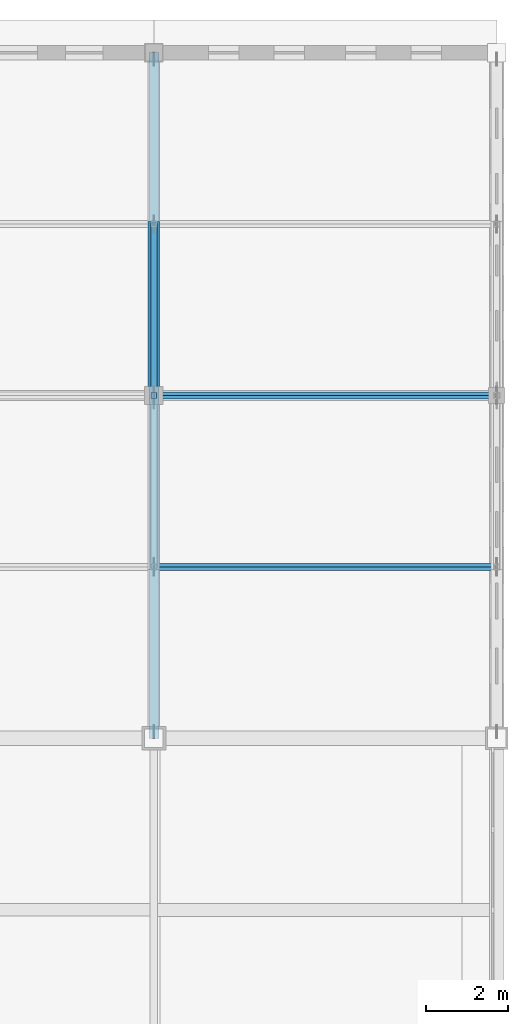
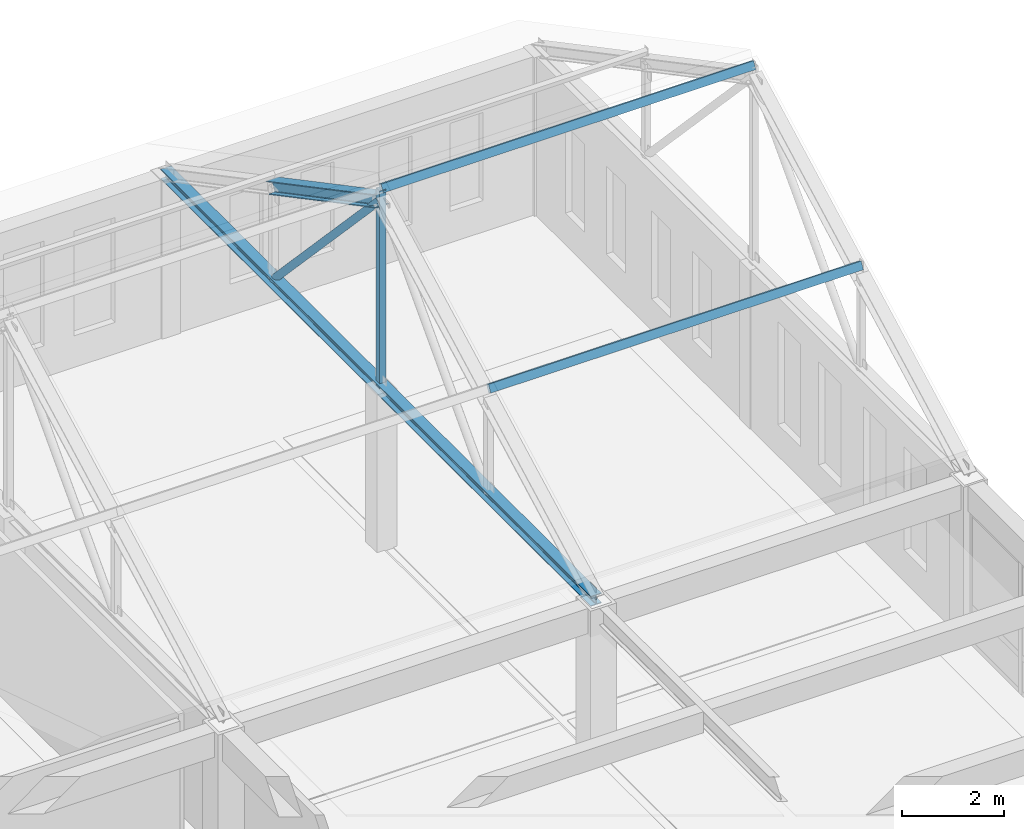
# One storey, part 23 of 56: 6 members.
"""IFC4 building model written with IfcOpenShell, lengths in metres."""

from ifc_helpers import new_model, si_unit, direction, frame, origin, origin_2d, place, context, subcontext, project, spatial, hollow_rectangle, hollow_circle, i_section, extrude, material, material_profile, profile_set, type_object, element, save


model = new_model("IFC4")

# Units and contexts
model_context = context("Model", 3, precision=1e-05, world=origin(), true_north=direction((0.0, 1.0)))
body_context = subcontext(model_context, "Body", "Model", "MODEL_VIEW")
ifc_project = project(units=[si_unit("LENGTHUNIT", "METRE"), si_unit("AREAUNIT", "SQUARE_METRE"), si_unit("VOLUMEUNIT", "CUBIC_METRE"), si_unit("PLANEANGLEUNIT", "RADIAN"), si_unit("MASSUNIT", "GRAM", prefix="KILO")], contexts=[model_context])

# Site, building, storey
site_placement = place(None, origin())
site = spatial("IfcSite", under=ifc_project, at=site_placement, CompositionType="ELEMENT")
building_placement = place(site_placement, origin())
building = spatial("IfcBuilding", under=site, at=building_placement, Name="Kveldsbrygga Polytechnic", CompositionType="ELEMENT")
storey_placement = place(building_placement, frame((0.0, 0.0, 18.02001953125)))
storey = spatial("IfcBuildingStorey", under=building, at=storey_placement, Name="L04", CompositionType="ELEMENT", Elevation=18.02001953125)

# Members
ifc_material = material(Name="Steel S355", Category="steel")
ifc_material_profile_1 = material_profile(ifc_material, hollow_circle(Radius=0.084228515625, WallThickness=0.010009765625, at=origin_2d()), Name="CHS 168.3x10.0")
ifc_profile_set_1 = profile_set([ifc_material_profile_1], Name="Steel S355")
member_type_1 = type_object("IfcMemberType", Name="BR-WIND-CHS168", PredefinedType="BRACE", material=ifc_profile_set_1)
member_1_placement = place(storey_placement, frame((159.60009765625, 109.199951171875, 8.22998046875), z_axis=(0.0, 0.686383320151, -0.727239945148), x_axis=(-1.0, 0.0, 0.0)))
element("IfcMember", 1, at=member_1_placement, inside=storey, type_object=member_type_1, Name="Truss Diagonal V4N5-T05-DG-3", PredefinedType="BRACE", context=body_context, shape_type="SweptSolid", body=[
    extrude(hollow_circle(Radius=0.084228515625, WallThickness=0.010009765625, at=origin_2d()), origin(), (0.0, 0.0, 1.0), 6.118896484375),
])
ifc_material_profile_2 = material_profile(ifc_material, hollow_rectangle(XDim=0.10009765625, YDim=0.179931640625, WallThickness=0.008056640625, at=origin_2d()), Name="RHS 180x100x8.0")
ifc_profile_set_2 = profile_set([ifc_material_profile_2], Name="Steel S355")
member_type_2 = type_object("IfcMemberType", Name="PRL-RHS180", PredefinedType="PURLIN", material=ifc_profile_set_2)
for number, where, z_axis, x_axis, name in (
    (2, (159.60009765625, 105.0, 6.265380859375), (1.0, 0.0, 0.0), (0.0, 0.883660254474, -0.468128779998), "Roof Purlin V4N5-PRL-5-1"),
    (3, (159.60009765625, 109.199951171875, 8.490234375), (1.0, 0.0, 0.0), (0.0, 0.883660254474, -0.468128779998), "Roof Purlin V4N5-PRL-5-2"),
):
    element("IfcMember", number, at=place(storey_placement, frame(where, z_axis=z_axis, x_axis=x_axis)), inside=storey, type_object=member_type_2, Name=name, PredefinedType="PURLIN", context=body_context, shape_type="SweptSolid", body=[
        extrude(hollow_rectangle(XDim=0.10009765625, YDim=0.179931640625, WallThickness=0.008056640625, at=origin_2d()), origin(), (0.0, 0.0, 1.0), 8.39990234375),
    ])
ifc_material_profile_3 = material_profile(ifc_material, i_section(OverallWidth=0.239990234375, OverallDepth=0.239990234375, WebThickness=0.010009765625, FlangeThickness=0.01708984375, FilletRadius=0.02099609375, at=origin_2d()), Name="HEB 240")
ifc_profile_set_3 = profile_set([ifc_material_profile_3], Name="Steel S355")
member_type_3 = type_object("IfcMemberType", Name="TR-BOT-HEB240", PredefinedType="CHORD", material=ifc_profile_set_3)
member_2_placement = place(storey_placement, frame((159.60009765625, 100.800048828125, 3.780029296875), z_axis=(0.0, 1.0, 0.0), x_axis=(-1.0, 0.0, 0.0)))
element("IfcMember", 4, at=member_2_placement, inside=storey, type_object=member_type_3, Name="Truss Bottom Chord V4N5-T05-BC-1", PredefinedType="CHORD", context=body_context, shape_type="SweptSolid", body=[
    extrude(i_section(OverallWidth=0.239990234375, OverallDepth=0.239990234375, WebThickness=0.010009765625, FlangeThickness=0.01708984375, FilletRadius=0.02099609375, at=origin_2d()), origin(), (0.0, 0.0, 1.0), 16.800048828125),
])
ifc_material_profile_4 = material_profile(ifc_material, hollow_rectangle(XDim=0.139892578125, YDim=0.139892578125, WallThickness=0.008056640625, at=origin_2d()), Name="SHS 140x140x8.0")
ifc_profile_set_4 = profile_set([ifc_material_profile_4], Name="Steel S355")
member_type_4 = type_object("IfcMemberType", Name="TR-POST-SHS140", PredefinedType="STRUT", material=ifc_profile_set_4)
member_3_placement = place(storey_placement, frame((159.60009765625, 109.199951171875, 3.780029296875), z_axis=(0.0, 0.0, 1.0), x_axis=(1.0, 0.0, 0.0)))
element("IfcMember", 5, at=member_3_placement, inside=storey, type_object=member_type_4, Name="Truss Vertical V4N5-T05-VT-2", PredefinedType="STRUT", context=body_context, shape_type="SweptSolid", body=[
    extrude(hollow_rectangle(XDim=0.139892578125, YDim=0.139892578125, WallThickness=0.008056640625, at=origin_2d()), origin(), (0.0, 0.0, 1.0), 4.710205078125),
])
ifc_material_profile_5 = material_profile(ifc_material, i_section(OverallWidth=0.280029296875, OverallDepth=0.280029296875, WebThickness=0.010498046875, FlangeThickness=0.01806640625, FilletRadius=0.02392578125, at=origin_2d()), Name="HEB 280")
ifc_profile_set_5 = profile_set([ifc_material_profile_5], Name="Steel S355")
member_type_5 = type_object("IfcMemberType", Name="TR-TOP-HEB280", PredefinedType="CHORD", material=ifc_profile_set_5)
member_4_placement = place(storey_placement, frame((159.60009765625, 109.199951171875, 8.22998046875), z_axis=(0.0, 0.883649189339, -0.468149666432), x_axis=(-1.0, 0.0, 0.0)))
element("IfcMember", 6, at=member_4_placement, inside=storey, type_object=member_type_5, Name="Truss Top Chord V4N5-T05-TC-3", PredefinedType="CHORD", context=body_context, shape_type="SweptSolid", body=[
    extrude(i_section(OverallWidth=0.280029296875, OverallDepth=0.280029296875, WebThickness=0.010498046875, FlangeThickness=0.01806640625, FilletRadius=0.02392578125, at=origin_2d()), origin(), (0.0, 0.0, 1.0), 4.7529296875),
])

save(model, "model.ifc")
